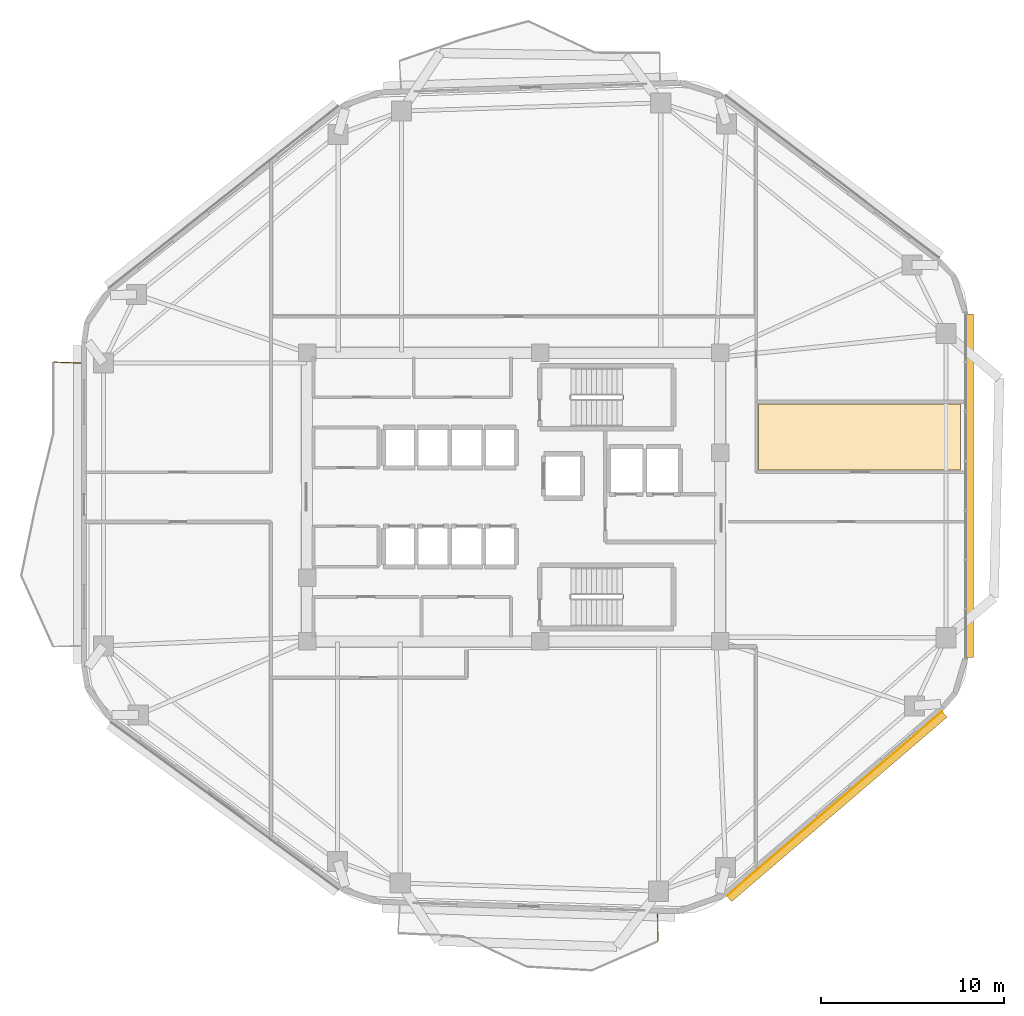
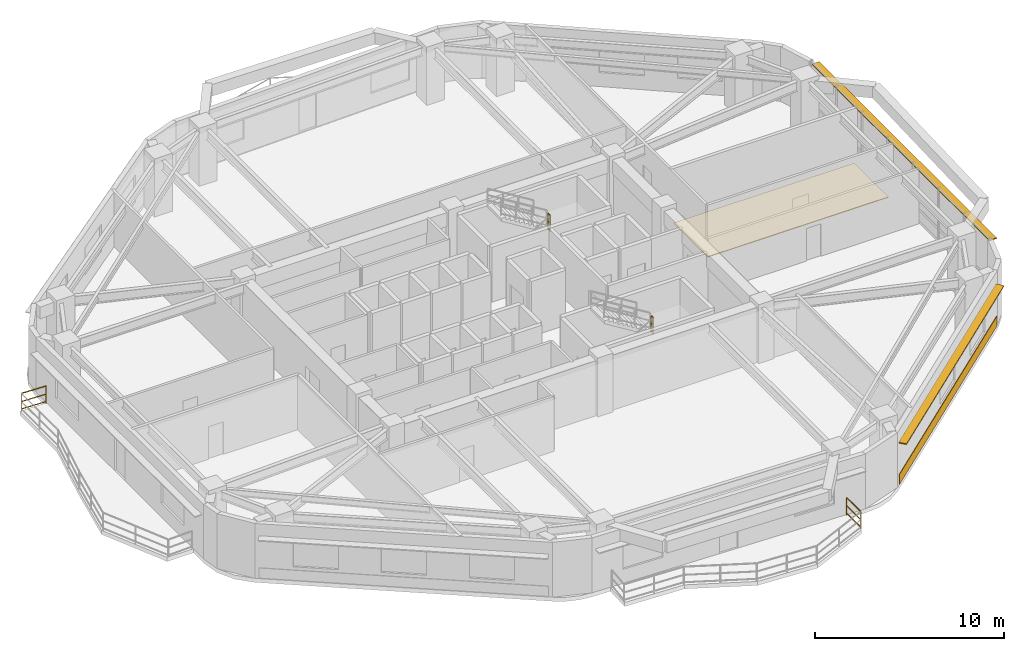
# One storey, part 12 of 13: 4 railings, 2 coverings, 2 shading devices.
"""IFC4 building model written with IfcOpenShell, lengths in metres."""

import ifcopenshell
import ifcopenshell.guid

model = None  # the IFC model being written
_history = None  # IfcOwnerHistory: only IFC2X3 demands one
_inside = {}  # id of a spatial element -> (the spatial element, [elements in it])
_under = {}  # id of a project, library or spatial element -> (it, [spatial elements below it])
_declared = {}  # id of a project -> (the project, [libraries it declares])
_typed = {}  # id of a type object -> (the type object, [elements of that type])
_made_of = {}  # id of a material, layer set ... -> (it, [elements and type objects made of it])


def new_model(schema):
    """Start an empty IFC model of exactly this schema.

    Asked for "IFC4X3", IfcOpenShell would pick the latest addendum, in which some entities
    have other attributes; the version numbers below select the first issue.
    IFC2X3 requires an IfcOwnerHistory on every rooted entity: one is made here for all.
    """
    global model, _history
    if schema == "IFC4X3":
        model = ifcopenshell.file(schema_version=(4, 3, 0, 0))
    else:
        model = ifcopenshell.file(schema=schema)
    _inside.clear()
    _under.clear()
    _declared.clear()
    _typed.clear()
    _made_of.clear()
    _history = None
    if model.schema == "IFC2X3":
        org = make("IfcOrganization", Name="unknown")
        user = make(
            "IfcPersonAndOrganization",
            ThePerson=make("IfcPerson", FamilyName="unknown"),
            TheOrganization=org,
        )
        app = make(
            "IfcApplication",
            ApplicationDeveloper=org,
            Version="unknown",
            ApplicationFullName="unknown",
            ApplicationIdentifier="unknown",
        )
        _history = make(
            "IfcOwnerHistory",
            OwningUser=user,
            OwningApplication=app,
            ChangeAction="ADDED",
            CreationDate=0,
        )
    return model


def make(cls, **values):
    """One entity of the class cls with the attributes given. An attribute that is None is left unset."""
    return model.create_entity(
        cls, **{name: value for name, value in values.items() if value is not None}
    )


def rooted(cls, **values):
    """An entity with a GlobalId (a new one), such as an element, a storey or a relation."""
    return make(cls, GlobalId=ifcopenshell.guid.new(), OwnerHistory=_history, **values)


def si_unit(unit_type, name, prefix=None):
    """IfcSIUnit, for example si_unit("LENGTHUNIT", "METRE", prefix="MILLI")."""
    return make("IfcSIUnit", UnitType=unit_type, Prefix=prefix, Name=name)


def assignment(units):
    """IfcUnitAssignment: the units of a project."""
    return None if units is None else make("IfcUnitAssignment", Units=units)


def point(xyz):
    """IfcCartesianPoint."""
    return None if xyz is None else make("IfcCartesianPoint", Coordinates=xyz)


def direction(xyz):
    """IfcDirection."""
    return None if xyz is None else make("IfcDirection", DirectionRatios=xyz)


def frame(location, z_axis=None, x_axis=None):
    """IfcAxis2Placement3D, a coordinate frame: its origin and axes. An axis left out is left unset."""
    return make(
        "IfcAxis2Placement3D",
        Location=point(location),
        Axis=direction(z_axis),
        RefDirection=direction(x_axis),
    )


def frame_2d(location, x_axis=None):
    """IfcAxis2Placement2D, a coordinate frame in the plane: its origin and x axis."""
    return make(
        "IfcAxis2Placement2D", Location=point(location), RefDirection=direction(x_axis)
    )


def origin():
    """The frame at (0, 0, 0) with its axes left unset."""
    return frame((0.0, 0.0, 0.0))


def origin_2d():
    """The frame at (0, 0) in the plane with its x axis left unset."""
    return frame_2d((0.0, 0.0))


def place(relative_to, where):
    """IfcLocalPlacement: puts the frame where relative to a parent placement (None: the world)."""
    return make(
        "IfcLocalPlacement", PlacementRelTo=relative_to, RelativePlacement=where
    )


def context(
    kind, dimensions, precision=None, world=None, true_north=None, identifier=None
):
    """IfcGeometricRepresentationContext, for example the 3D "Model" context."""
    return make(
        "IfcGeometricRepresentationContext",
        ContextIdentifier=identifier,
        ContextType=kind,
        CoordinateSpaceDimension=dimensions,
        Precision=precision,
        WorldCoordinateSystem=world,
        TrueNorth=true_north,
    )


def subcontext(parent, identifier, kind, view, scale=None):
    """IfcGeometricRepresentationSubContext, for example "Body" below "Model"."""
    return make(
        "IfcGeometricRepresentationSubContext",
        ContextIdentifier=identifier,
        ContextType=kind,
        ParentContext=parent,
        TargetScale=scale,
        TargetView=view,
    )


def project(units=None, contexts=None):
    """IfcProject with its units and contexts."""
    return rooted(
        "IfcProject",
        Name="project",
        RepresentationContexts=contexts,
        UnitsInContext=assignment(units),
    )


def spatial(cls, under=None, at=None, **own):
    """A site, building, storey or space (cls), placed at a placement, below another one or the project."""
    s = rooted(cls, ObjectPlacement=at, **own)
    if under is not None:
        _under.setdefault(under.id(), (under, []))[1].append(s)
    return s


def polyline(points):
    """IfcPolyline through the points."""
    return make("IfcPolyline", Points=[point(p) for p in points])


def profile(cls, at=None, kind="AREA", **sizes):
    """A parametric profile (cls). Its sizes go by their IFC names, for example OverallWidth=200.0."""
    return make(cls, ProfileType=kind, Position=at, **sizes)


def rectangle(**sizes):
    """IfcRectangleProfileDef."""
    return profile("IfcRectangleProfileDef", **sizes)


def outline(outer, holes=None, kind="AREA"):
    """IfcArbitraryClosedProfileDef: a profile drawn as a closed curve; with holes, ...WithVoids."""
    if holes is None:
        return make("IfcArbitraryClosedProfileDef", ProfileType=kind, OuterCurve=outer)
    return make(
        "IfcArbitraryProfileDefWithVoids",
        ProfileType=kind,
        OuterCurve=outer,
        InnerCurves=holes,
    )


def extrude(swept, where, along, depth):
    """IfcExtrudedAreaSolid: the profile swept, set in the frame where, extruded along a direction by depth."""
    return make(
        "IfcExtrudedAreaSolid",
        SweptArea=swept,
        Position=where,
        ExtrudedDirection=direction(along),
        Depth=depth,
    )


def shape(context_of_items, identifier, shape_type, items):
    """IfcShapeRepresentation: the items that make up one representation, for example the "Body"."""
    return make(
        "IfcShapeRepresentation",
        ContextOfItems=context_of_items,
        RepresentationIdentifier=identifier,
        RepresentationType=shape_type,
        Items=items,
    )


def material(Name=None, Category=None):
    """IfcMaterial."""
    return make("IfcMaterial", Name=Name, Category=Category)


def layer(
    of_material, thickness, ventilated=None, Name=None, Category=None, Priority=None
):
    """IfcMaterialLayer: one layer of a wall or slab, of a material (None: an air gap)."""
    return make(
        "IfcMaterialLayer",
        Material=of_material,
        LayerThickness=thickness,
        IsVentilated=ventilated,
        Name=Name,
        Category=Category,
        Priority=Priority,
    )


def layer_set(layers, Name=None):
    """IfcMaterialLayerSet."""
    return make("IfcMaterialLayerSet", MaterialLayers=layers, LayerSetName=Name)


def made_of(thing, what):
    """Note that an element or type object is made of a material, layer set ...; save() writes the relation."""
    if what is not None:
        _made_of.setdefault(what.id(), (what, []))[1].append(thing)
    return thing


def type_object(cls, material=None, **own):
    """A type object (cls), such as IfcWallType, which elements share."""
    return made_of(rooted(cls, **own), material)


def element(
    cls,
    number,
    at=None,
    inside=None,
    cuts=None,
    type_object=None,
    material=None,
    context=None,
    identifier="Body",
    shape_type=None,
    held_by="IfcProductDefinitionShape",
    body=None,
    shapes=None,
    **own,
):
    """One element of the class cls, such as IfcWall. Its Tag is "e" and its number.

    at: its placement. inside: the storey or other place that contains it. cuts: it is an
    opening in that element (IfcRelVoidsElement). A single representation is given by context,
    identifier, shape_type and body (its items); several are given by shapes. held_by: the class
    of the entity that holds the representations. save() writes the other relations.
    """
    e = rooted(cls, Tag="e%d" % number, ObjectPlacement=at, **own)
    if body is not None:
        shapes = [shape(context, identifier, shape_type, body)]
    if shapes is not None:
        e.Representation = make(held_by, Representations=shapes)
    if inside is not None:
        _inside.setdefault(inside.id(), (inside, []))[1].append(e)
    if cuts is not None:
        rooted(
            "IfcRelVoidsElement", RelatingBuildingElement=cuts, RelatedOpeningElement=e
        )
    if type_object is not None:
        _typed.setdefault(type_object.id(), (type_object, []))[1].append(e)
    return made_of(e, material)


def aggregate(whole, parts):
    """IfcRelAggregates: a whole, such as a stair, and the parts it consists of."""
    return rooted("IfcRelAggregates", RelatingObject=whole, RelatedObjects=parts)


def save(model, path):
    """Write the relations noted so far, then the file.

    IfcRelAggregates (storeys below a building ...), IfcRelContainedInSpatialStructure (elements
    in a storey), IfcRelDefinesByType, IfcRelAssociatesMaterial and IfcRelDeclares: one each for
    every whole, place, type object, material and project.
    """
    for whole, parts in _under.values():
        aggregate(whole, parts)
    for where, things in _inside.values():
        rooted(
            "IfcRelContainedInSpatialStructure",
            RelatedElements=things,
            RelatingStructure=where,
        )
    for kind, things in _typed.values():
        rooted("IfcRelDefinesByType", RelatedObjects=things, RelatingType=kind)
    for what, things in _made_of.values():
        rooted("IfcRelAssociatesMaterial", RelatedObjects=things, RelatingMaterial=what)
    for by, libraries in _declared.values():
        rooted("IfcRelDeclares", RelatingContext=by, RelatedDefinitions=libraries)
    model.write(path)


model = new_model("IFC4")

# Units and contexts
model_context = context("Model", 3, precision=1e-05, world=origin(), true_north=direction((0.0, 1.0)))
body_context = subcontext(model_context, "Body", "Model", "MODEL_VIEW")
ifc_project = project(units=[si_unit("LENGTHUNIT", "METRE"), si_unit("AREAUNIT", "SQUARE_METRE"), si_unit("VOLUMEUNIT", "CUBIC_METRE"), si_unit("PLANEANGLEUNIT", "RADIAN"), si_unit("MASSUNIT", "GRAM", prefix="KILO")], contexts=[model_context])

# Site, building, storey
site_placement = place(None, origin())
site = spatial("IfcSite", under=ifc_project, at=site_placement, CompositionType="ELEMENT")
building_placement = place(site_placement, origin())
building = spatial("IfcBuilding", under=site, at=building_placement, Name="Zulverin Broadcast Headquarters", CompositionType="ELEMENT")
storey_placement = place(building_placement, frame((0.0, 0.0, 155.39990234375)))
storey = spatial("IfcBuildingStorey", under=building, at=storey_placement, Name="L39", CompositionType="ELEMENT", Elevation=155.39990234375)

# Coverings
ifc_material_1 = material(Name="Brushed pale-aluminium rainscreen cladding", Category="aluminium")
ifc_layer_1 = layer(ifc_material_1, 0.0400390625, Name="Brushed pale-aluminium rainscreen cladding", Category="aluminium")
ifc_layer_set_1 = layer_set([ifc_layer_1], Name="Brushed pale-aluminium rainscreen cladding")
covering_type_1 = type_object("IfcCoveringType", Name="COV-CLAD-PALE", PredefinedType="CLADDING", material=ifc_layer_set_1)
covering_1_placement = place(storey_placement, frame((54.51513671875, 8.46337890625, 0.05517578125), z_axis=(0.0, 0.0, 1.0), x_axis=(0.759706154917, 0.650266528572, 0.0)))
element("IfcCovering", 1, at=covering_1_placement, inside=storey, type_object=covering_type_1, Name="L39 Brushed Pale-Aluminium Spandrel Cladding 2", PredefinedType="CLADDING", context=body_context, shape_type="SweptSolid", body=[
    extrude(rectangle(XDim=15.48095703125, YDim=0.0400390625, at=origin_2d()), origin(), (0.0, 0.0, 1.0), 0.64990234375),
])
ifc_material_2 = material(Name="Anti-static broadcast raised access flooring", Category="stone")
ifc_layer_2 = layer(ifc_material_2, 0.050048828125, Name="Anti-static broadcast raised access flooring", Category="stone")
ifc_layer_set_2 = layer_set([ifc_layer_2], Name="Anti-static broadcast raised access flooring")
covering_type_2 = type_object("IfcCoveringType", Name="COV-FLR-RAISED", PredefinedType="FLOORING", material=ifc_layer_set_2)
covering_2_placement = place(storey_placement, origin())
element("IfcCovering", 2, at=covering_2_placement, inside=storey, type_object=covering_type_2, Name="L39 Broadcast Raised Access Flooring 02", PredefinedType="FLOORING", context=body_context, shape_type="SweptSolid", body=[
    extrude(outline(polyline([(50.3720703125, 26.672119140625), (61.39990234375, 26.672119140625), (61.39990234375, 30.280029296875), (50.3720703125, 30.280029296875), (50.3720703125, 26.672119140625)])), origin(), (0.0, 0.0, 1.0), 0.050048828125),
])

# Railings
ifc_material_3 = material(Name="Brushed stainless steel & laminated glass balustrade", Category="steel")
railing_type_1 = type_object("IfcRailingType", Name="RL-GUARD-1150", PredefinedType="GUARDRAIL", material=ifc_material_3)
railing_1_placement = place(storey_placement, frame((13.360107421875, 32.51318359375, 0.0)))
element("IfcRailing", 3, at=railing_1_placement, inside=storey, type_object=railing_type_1, Name="L39 Vertical-Forest Balcony Guardrail BAL_W Segment 01", PredefinedType="GUARDRAIL", context=body_context, shape_type="SweptSolid", body=[
    extrude(rectangle(XDim=0.048095703125, YDim=0.048095703125, at=origin_2d()), frame((0.0, 0.0, 1.1259765625), z_axis=(-0.999181155166, 0.040460093435, 0.0), x_axis=(-0.040460093435, -0.999181155166, 0.0)), (0.0, 0.0, 1.0), 1.46630859375),
    extrude(rectangle(XDim=0.0419921875, YDim=0.0419921875, at=origin_2d()), frame((0.0, 0.0, 0.597900390625), z_axis=(-0.999181155166, 0.040460093435, 0.0), x_axis=(-0.040460093435, -0.999181155166, 0.0)), (0.0, 0.0, 1.0), 1.46630859375),
    extrude(rectangle(XDim=0.0419921875, YDim=0.0419921875, at=origin_2d()), frame((0.0, 0.0, 0.1201171875), z_axis=(-0.999181155166, 0.040460093435, 0.0), x_axis=(-0.040460093435, -0.999181155166, 0.0)), (0.0, 0.0, 1.0), 1.46630859375),
    extrude(rectangle(XDim=0.0419921875, YDim=0.0419921875, at=origin_2d()), origin(), (0.0, 0.0, 1.0), 1.101806640625),
    extrude(rectangle(XDim=0.0419921875, YDim=0.0419921875, at=origin_2d()), frame((-1.465087890625, 0.059326171875, 0.0)), (0.0, 0.0, 1.0), 1.101806640625),
])
railing_2_placement = place(storey_placement, frame((44.873291015625, 0.97509765625, 0.0)))
element("IfcRailing", 4, at=railing_2_placement, inside=storey, type_object=railing_type_1, Name="L39 Vertical-Forest Balcony Guardrail BAL_S Segment 06", PredefinedType="GUARDRAIL", context=body_context, shape_type="SweptSolid", body=[
    extrude(rectangle(XDim=0.048095703125, YDim=0.048095703125, at=origin_2d()), frame((0.0, 0.0, 1.1259765625), z_axis=(-0.008659125807, 0.999962509067, 0.0), x_axis=(-0.999962509067, -0.008659125807, 0.0)), (0.0, 0.0, 1.0), 1.466064453125),
    extrude(rectangle(XDim=0.0419921875, YDim=0.0419921875, at=origin_2d()), frame((0.0, 0.0, 0.597900390625), z_axis=(-0.008659125807, 0.999962509067, 0.0), x_axis=(-0.999962509067, -0.008659125807, 0.0)), (0.0, 0.0, 1.0), 1.466064453125),
    extrude(rectangle(XDim=0.0419921875, YDim=0.0419921875, at=origin_2d()), frame((0.0, 0.0, 0.1201171875), z_axis=(-0.008659125807, 0.999962509067, 0.0), x_axis=(-0.999962509067, -0.008659125807, 0.0)), (0.0, 0.0, 1.0), 1.466064453125),
    extrude(rectangle(XDim=0.0419921875, YDim=0.0419921875, at=origin_2d()), origin(), (0.0, 0.0, 1.0), 1.101806640625),
    extrude(rectangle(XDim=0.0419921875, YDim=0.0419921875, at=origin_2d()), frame((-0.0126953125, 1.466064453125, 0.0)), (0.0, 0.0, 1.0), 1.101806640625),
])
ifc_material_4 = material(Name="Painted galvanized steel tubular guardrail S355JR", Category="steel")
railing_type_2 = type_object("IfcRailingType", Name="RL-ST-GUARD", PredefinedType="GUARDRAIL", material=ifc_material_4)
railing_3_placement = place(storey_placement, frame((42.97998046875, 30.550048828125, 1.900146484375)))
element("IfcRailing", 5, at=railing_3_placement, inside=storey, type_object=railing_type_2, Name="L39 ST-1 stair guard 2", PredefinedType="GUARDRAIL", context=body_context, shape_type="SweptSolid", body=[
    extrude(rectangle(XDim=0.048095703125, YDim=0.048095703125, at=origin_2d()), frame((0.0, 0.0, 1.076171875), z_axis=(0.0, 1.0, 0.0), x_axis=(-1.0, 0.0, 0.0)), (0.0, 0.0, 1.0), 0.199951171875),
    extrude(rectangle(XDim=0.0419921875, YDim=0.0419921875, at=origin_2d()), frame((0.0, 0.0, 0.572021484375), z_axis=(0.0, 1.0, 0.0), x_axis=(-1.0, 0.0, 0.0)), (0.0, 0.0, 1.0), 0.199951171875),
    extrude(rectangle(XDim=0.0419921875, YDim=0.0419921875, at=origin_2d()), frame((0.0, 0.0, 0.1201171875), z_axis=(0.0, 1.0, 0.0), x_axis=(-1.0, 0.0, 0.0)), (0.0, 0.0, 1.0), 0.199951171875),
    extrude(rectangle(XDim=0.0419921875, YDim=0.0419921875, at=origin_2d()), origin(), (0.0, 0.0, 1.0), 1.052001953125),
    extrude(rectangle(XDim=0.0419921875, YDim=0.0419921875, at=origin_2d()), frame((0.0, 0.199951171875, 0.0)), (0.0, 0.0, 1.0), 1.052001953125),
])
railing_4_placement = place(storey_placement, frame((42.97998046875, 19.64990234375, 1.900146484375)))
element("IfcRailing", 6, at=railing_4_placement, inside=storey, type_object=railing_type_2, Name="L39 ST-2 stair guard 2", PredefinedType="GUARDRAIL", context=body_context, shape_type="SweptSolid", body=[
    extrude(rectangle(XDim=0.048095703125, YDim=0.048095703125, at=origin_2d()), frame((0.0, 0.0, 1.076171875), z_axis=(0.0, 1.0, 0.0), x_axis=(-1.0, 0.0, 0.0)), (0.0, 0.0, 1.0), 0.2001953125),
    extrude(rectangle(XDim=0.0419921875, YDim=0.0419921875, at=origin_2d()), frame((0.0, 0.0, 0.572021484375), z_axis=(0.0, 1.0, 0.0), x_axis=(-1.0, 0.0, 0.0)), (0.0, 0.0, 1.0), 0.2001953125),
    extrude(rectangle(XDim=0.0419921875, YDim=0.0419921875, at=origin_2d()), frame((0.0, 0.0, 0.1201171875), z_axis=(0.0, 1.0, 0.0), x_axis=(-1.0, 0.0, 0.0)), (0.0, 0.0, 1.0), 0.2001953125),
    extrude(rectangle(XDim=0.0419921875, YDim=0.0419921875, at=origin_2d()), origin(), (0.0, 0.0, 1.0), 1.052001953125),
    extrude(rectangle(XDim=0.0419921875, YDim=0.0419921875, at=origin_2d()), frame((0.0, 0.2001953125, 0.0)), (0.0, 0.0, 1.0), 1.052001953125),
])

# Shading devices
ifc_material_5 = material(Name="Anodized pale-metal aluminium sunshade", Category="aluminium")
ifc_layer_3 = layer(ifc_material_5, 0.06005859375, Name="Anodized pale-metal aluminium sunshade", Category="aluminium")
ifc_layer_set_3 = layer_set([ifc_layer_3], Name="Anodized pale-metal aluminium sunshade")
shading_device_type = type_object("IfcShadingDeviceType", Name="SS-01_PALE_METAL_ALUMINIUM_SUNSHADE", PredefinedType="USERDEFINED", material=ifc_layer_set_3)
shading_device_1_placement = place(storey_placement, frame((54.638671875, 8.319091796875, 2.7099609375), z_axis=(0.0, 0.0, 1.0), x_axis=(0.759706154917, 0.650266528572, 0.0)))
element("IfcShadingDevice", 7, at=shading_device_1_placement, inside=storey, type_object=shading_device_type, Name="L39 Horizontal Pale-Metal Sunshade Band 2", ObjectType="SUNSHADE", PredefinedType="USERDEFINED", context=body_context, shape_type="SweptSolid", body=[
    extrude(rectangle(XDim=15.48095703125, YDim=0.449951171875, at=origin_2d()), origin(), (0.0, 0.0, 1.0), 0.06005859375),
])
shading_device_2_placement = place(storey_placement, frame((61.8798828125, 25.8203125, 3.31005859375), z_axis=(0.0, 0.0, 1.0), x_axis=(0.0, 1.0, 0.0)))
element("IfcShadingDevice", 8, at=shading_device_2_placement, inside=storey, type_object=shading_device_type, Name="L39 Pale-Metal Horizontal Sunshade Band CW-L39-E3", ObjectType="SUNSHADE", PredefinedType="USERDEFINED", context=body_context, shape_type="SweptSolid", body=[
    extrude(rectangle(XDim=18.76220703125, YDim=0.449951171875, at=origin_2d()), origin(), (0.0, 0.0, 1.0), 0.06005859375),
])

save(model, "model.ifc")
